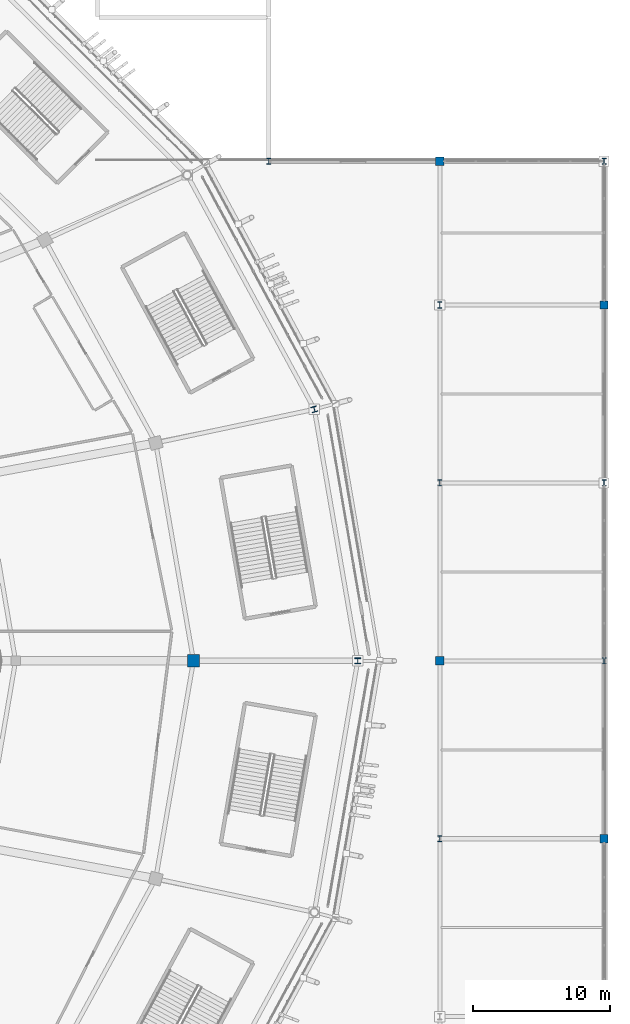
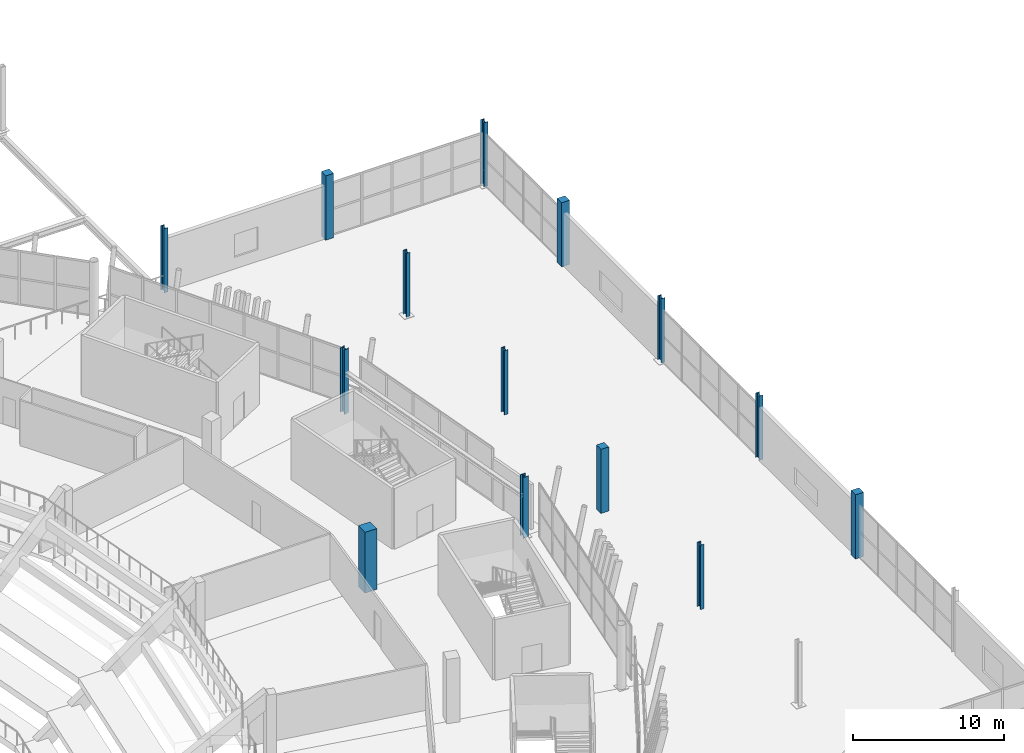
# One storey, part 16 of 178: 14 columns.
"""IFC4 building model written with IfcOpenShell, lengths in metres."""

from ifc_helpers import new_model, si_unit, direction, frame, origin, origin_2d, place, context, subcontext, project, spatial, rectangle, i_section, extrude, material, material_profile, profile_set, type_object, element, save


model = new_model("IFC4")

# Units and contexts
model_context = context("Model", 3, precision=1e-05, world=origin(), true_north=direction((0.0, 1.0)))
body_context = subcontext(model_context, "Body", "Model", "MODEL_VIEW")
ifc_project = project(units=[si_unit("LENGTHUNIT", "METRE"), si_unit("AREAUNIT", "SQUARE_METRE"), si_unit("VOLUMEUNIT", "CUBIC_METRE"), si_unit("PLANEANGLEUNIT", "RADIAN"), si_unit("MASSUNIT", "GRAM", prefix="KILO")], contexts=[model_context])

# Site, building, storey
site_placement = place(None, origin())
site = spatial("IfcSite", under=ifc_project, at=site_placement, CompositionType="ELEMENT")
building_placement = place(site_placement, origin())
building = spatial("IfcBuilding", under=site, at=building_placement, Name="Zlatoyarsky Gate Stadium", CompositionType="ELEMENT")
storey_placement = place(building_placement, frame((0.0, 0.0, 5.39990234375)))
storey = spatial("IfcBuildingStorey", under=building, at=storey_placement, Name="L01", CompositionType="ELEMENT", Elevation=5.39990234375)

# Columns
ifc_material_1 = material(Name="Concrete C40/50", Category="concrete")
ifc_material_profile_1 = material_profile(ifc_material_1, rectangle(XDim=0.60009765625, YDim=0.60009765625, at=origin_2d()), Name="RC COL 600X600")
ifc_profile_set_1 = profile_set([ifc_material_profile_1], Name="Concrete C40/50")
column_type_1 = type_object("IfcColumnType", Name="CONCRETE COLUMN 600X600", PredefinedType="COLUMN", material=ifc_profile_set_1)
for number, where, z_axis, x_axis, name in (
    (1, (210.0, 80.0, 0.0), (0.0, 0.0, 1.0), (1.0, 0.0, 0.0), "Column RC-C60 WG-18-H on L01"),
    (2, (210.0, 116.5, 0.0), (0.0, 0.0, 1.0), (1.0, 0.0, 0.0), "Column RC-C60 WG-18-L on L01"),
    (3, (222.0, 67.0, 0.0), (0.0, 0.0, 1.0), (1.0, 0.0, 0.0), "Column RC-C60 WG-19-G on L01"),
    (4, (222.0, 106.0, 0.0), (0.0, 0.0, 1.0), (1.0, 0.0, 0.0), "Column RC-C60 WG-19-K on L01"),
):
    element("IfcColumn", number, at=place(storey_placement, frame(where, z_axis=z_axis, x_axis=x_axis)), inside=storey, type_object=column_type_1, Name=name, PredefinedType="COLUMN", context=body_context, shape_type="SweptSolid", body=[
        extrude(rectangle(XDim=0.60009765625, YDim=0.60009765625, at=origin_2d()), origin(), (0.0, 0.0, 1.0), 5.2001953125),
    ])
ifc_material_profile_2 = material_profile(ifc_material_1, rectangle(XDim=0.89990234375, YDim=0.89990234375, at=origin_2d()), Name="RC COL 900X900")
ifc_profile_set_2 = profile_set([ifc_material_profile_2], Name="Concrete C40/50")
column_type_2 = type_object("IfcColumnType", Name="CONCRETE COLUMN 900X900", PredefinedType="COLUMN", material=ifc_profile_set_2)
column_1_placement = place(storey_placement, frame((192.0, 80.0, 0.0), z_axis=(0.0, 0.0, 1.0), x_axis=(1.0, 0.0, 0.0)))
element("IfcColumn", 5, at=column_1_placement, inside=storey, type_object=column_type_2, Name="Column RC-C90 RB-00 on L01", PredefinedType="COLUMN", context=body_context, shape_type="SweptSolid", body=[
    extrude(rectangle(XDim=0.89990234375, YDim=0.89990234375, at=origin_2d()), origin(), (0.0, 0.0, 1.0), 4.920166015625),
])
ifc_material_2 = material(Name="Steel S355", Category="steel")
ifc_material_profile_3 = material_profile(ifc_material_2, i_section(OverallWidth=0.300048828125, OverallDepth=0.449951171875, WebThickness=0.013916015625, FlangeThickness=0.02587890625, FilletRadius=0.027099609375, at=origin_2d()), Name="HEB 450")
ifc_profile_set_3 = profile_set([ifc_material_profile_3], Name="Steel S355")
column_type_3 = type_object("IfcColumnType", Name="STEEL COLUMN HEB 450", PredefinedType="COLUMN", material=ifc_profile_set_3)
for number, where, z_axis, x_axis, name in (
    (6, (197.5, 116.5, 0.0), (0.0, 0.0, 1.0), (1.0, 0.0, 0.0), "Column ST-C450 WG-17-L on L01"),
    (7, (210.0, 67.0, 0.0), (0.0, 0.0, 1.0), (1.0, 0.0, 0.0), "Column ST-C450 WG-18-G on L01"),
    (8, (210.0, 93.0, 0.0), (0.0, 0.0, 1.0), (1.0, 0.0, 0.0), "Column ST-C450 WG-18-J on L01"),
    (9, (210.0, 106.0, 0.0), (0.0, 0.0, 1.0), (1.0, 0.0, 0.0), "Column ST-C450 WG-18-K on L01"),
    (10, (222.0, 80.0, 0.0), (0.0, 0.0, 1.0), (1.0, 0.0, 0.0), "Column ST-C450 WG-19-H on L01"),
    (11, (222.0, 93.0, 0.0), (0.0, 0.0, 1.0), (1.0, 0.0, 0.0), "Column ST-C450 WG-19-J on L01"),
    (12, (222.0, 116.5, 0.0), (0.0, 0.0, 1.0), (1.0, 0.0, 0.0), "Column ST-C450 WG-19-L on L01"),
):
    element("IfcColumn", number, at=place(storey_placement, frame(where, z_axis=z_axis, x_axis=x_axis)), inside=storey, type_object=column_type_3, Name=name, PredefinedType="COLUMN", context=body_context, shape_type="SweptSolid", body=[
        extrude(i_section(OverallWidth=0.300048828125, OverallDepth=0.449951171875, WebThickness=0.013916015625, FlangeThickness=0.02587890625, FilletRadius=0.027099609375, at=origin_2d()), origin(), (0.0, 0.0, 1.0), 5.2001953125),
    ])
ifc_material_profile_4 = material_profile(ifc_material_2, i_section(OverallWidth=0.406005859375, OverallDepth=0.416015625, WebThickness=0.02392578125, FlangeThickness=0.0390625, FilletRadius=0.014892578125, at=origin_2d()), Name="HD 400X382")
ifc_profile_set_4 = profile_set([ifc_material_profile_4], Name="Steel S355")
column_type_4 = type_object("IfcColumnType", Name="STEEL PORTAL PILASTER HD 400X382", PredefinedType="PILASTER", material=ifc_profile_set_4)
column_2_placement = place(storey_placement, frame((204.0, 80.0, 0.0), z_axis=(0.0, 0.0, 1.0), x_axis=(1.0, 0.0, 0.0)))
element("IfcColumn", 13, at=column_2_placement, inside=storey, type_object=column_type_4, Name="Column ST-CHD RC-00 on L01", PredefinedType="PILASTER", context=body_context, shape_type="SweptSolid", body=[
    extrude(i_section(OverallWidth=0.406005859375, OverallDepth=0.416015625, WebThickness=0.02392578125, FlangeThickness=0.0390625, FilletRadius=0.014892578125, at=origin_2d()), origin(), (0.0, 0.0, 1.0), 4.920166015625),
])
column_3_placement = place(storey_placement, frame((200.8310546875, 98.376220703125, 0.0), z_axis=(0.0, 0.0, 1.0), x_axis=(0.965925826289, 0.258819045103, 0.0)))
element("IfcColumn", 14, at=column_3_placement, inside=storey, type_object=column_type_4, Name="Column ST-CHD RC-01 on L01", PredefinedType="PILASTER", context=body_context, shape_type="SweptSolid", body=[
    extrude(i_section(OverallWidth=0.406005859375, OverallDepth=0.416015625, WebThickness=0.02392578125, FlangeThickness=0.0390625, FilletRadius=0.014892578125, at=origin_2d()), origin(), (0.0, 0.0, 1.0), 5.2001953125),
])

save(model, "model.ifc")
